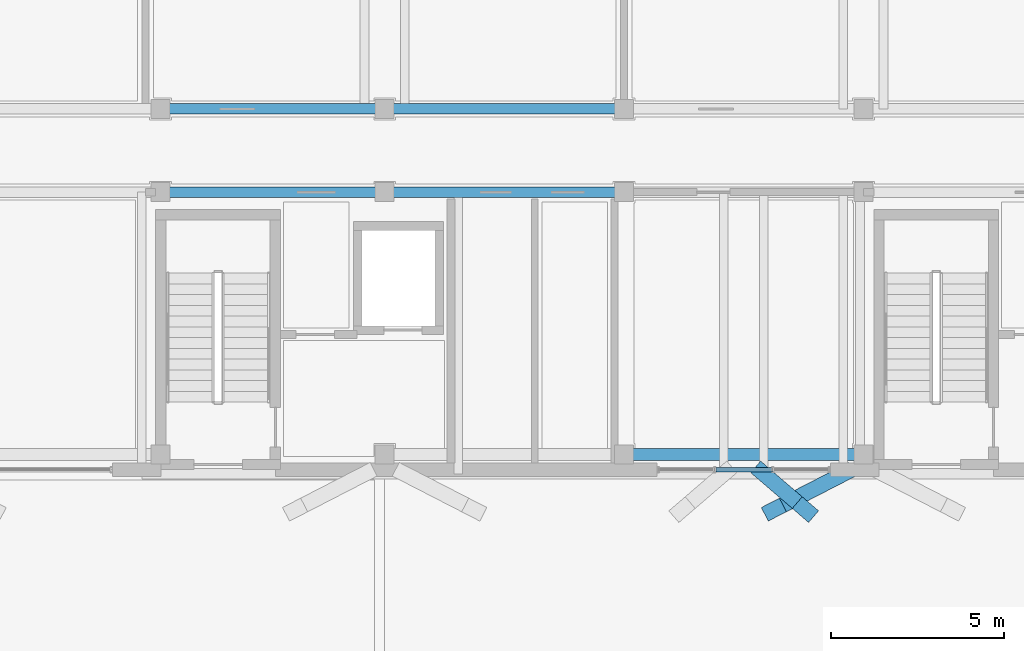
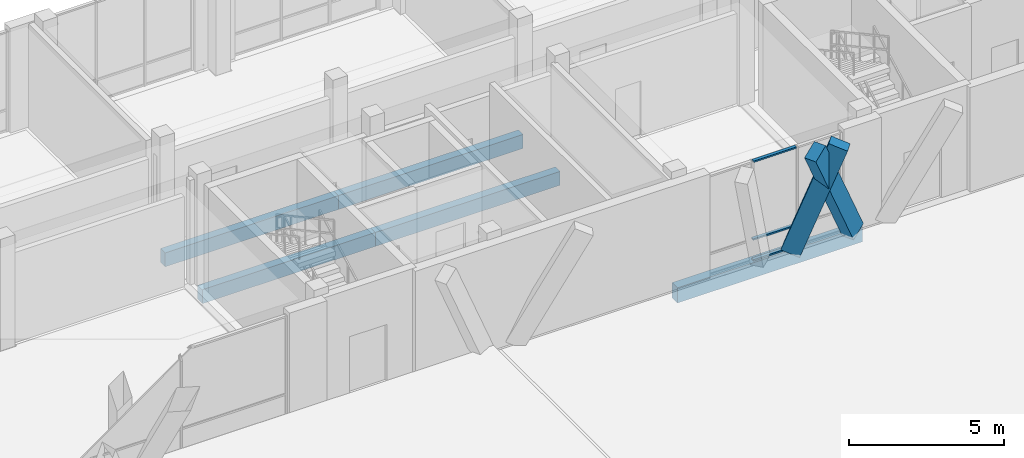
# One storey, part 165 of 233: 5 beams, 5 members, 1 element without a shape of its own.
"""IFC4 building model written with IfcOpenShell, lengths in metres."""

from ifc_helpers import new_model, si_unit, direction, frame, origin, origin_2d, place, context, subcontext, project, spatial, rectangle, hollow_rectangle, extrude, material, material_profile, profile_set, type_object, element, aggregate, save


model = new_model("IFC4")

# Units and contexts
model_context = context("Model", 3, precision=1e-05, world=origin(), true_north=direction((0.0, 1.0)))
body_context = subcontext(model_context, "Body", "Model", "MODEL_VIEW")
ifc_project = project(units=[si_unit("LENGTHUNIT", "METRE"), si_unit("AREAUNIT", "SQUARE_METRE"), si_unit("VOLUMEUNIT", "CUBIC_METRE"), si_unit("PLANEANGLEUNIT", "RADIAN"), si_unit("MASSUNIT", "GRAM", prefix="KILO")], contexts=[model_context])

# Site, building, storey
site_placement = place(None, origin())
site = spatial("IfcSite", under=ifc_project, at=site_placement, CompositionType="ELEMENT")
building_placement = place(site_placement, origin())
building = spatial("IfcBuilding", under=site, at=building_placement, Name="Zavelmont Quarter", CompositionType="ELEMENT")
storey_placement = place(building_placement, origin())
storey = spatial("IfcBuildingStorey", under=building, at=storey_placement, Name="L00", CompositionType="ELEMENT", Elevation=0.0)

# Beams
ifc_material_1 = material(Name="Concrete C35/45", Category="concrete")
ifc_material_profile_1 = material_profile(ifc_material_1, rectangle(XDim=0.35009765625, YDim=0.60009765625, at=origin_2d()), Name="RC350X600")
ifc_profile_set_1 = profile_set([ifc_material_profile_1], Name="Concrete C35/45")
beam_type_1 = type_object("IfcBeamType", Name="BM01", PredefinedType="SPANDREL", material=ifc_profile_set_1)
beam_1_placement = place(storey_placement, frame((140.39990234375, 98.0400390625, -0.6201171875), z_axis=(1.0, 0.0, 0.0), x_axis=(0.0, 1.0, 0.0)))
element("IfcBeam", 1, at=beam_1_placement, inside=storey, type_object=beam_type_1, Name="L00 beam BM01 21/P to 22/P", PredefinedType="SPANDREL", context=body_context, shape_type="SweptSolid", body=[
    extrude(rectangle(XDim=0.35009765625, YDim=0.60009765625, at=origin_2d()), origin(), (0.0, 0.0, 1.0), 6.900146484375),
])
ifc_material_profile_2 = material_profile(ifc_material_1, rectangle(XDim=0.300048828125, YDim=0.550048828125, at=origin_2d()), Name="RC300X550")
ifc_profile_set_2 = profile_set([ifc_material_profile_2], Name="Concrete C35/45")
beam_type_2 = type_object("IfcBeamType", Name="BM02", PredefinedType="SPANDREL", material=ifc_profile_set_2)
beam_2_placement = place(storey_placement, frame((127.0400390625, 105.60009765625, -0.594970703125), z_axis=(1.0, 0.0, 0.0), x_axis=(0.0, 1.0, 0.0)))
element("IfcBeam", 2, at=beam_2_placement, inside=storey, type_object=beam_type_2, Name="L00 beam BM02 19/Q to 20/Q", PredefinedType="SPANDREL", context=body_context, shape_type="SweptSolid", body=[
    extrude(rectangle(XDim=0.300048828125, YDim=0.550048828125, at=origin_2d()), origin(), (0.0, 0.0, 1.0), 6.4599609375),
])
beam_3_placement = place(storey_placement, frame((133.5, 105.60009765625, -0.594970703125), z_axis=(1.0, 0.0, 0.0), x_axis=(0.0, 1.0, 0.0)))
element("IfcBeam", 3, at=beam_3_placement, inside=storey, type_object=beam_type_2, Name="L00 beam BM02 20/Q to 21/Q", PredefinedType="SPANDREL", context=body_context, shape_type="SweptSolid", body=[
    extrude(rectangle(XDim=0.300048828125, YDim=0.550048828125, at=origin_2d()), origin(), (0.0, 0.0, 1.0), 6.89990234375),
])
beam_4_placement = place(storey_placement, frame((127.0400390625, 108.0, -0.594970703125), z_axis=(1.0, 0.0, 0.0), x_axis=(0.0, 1.0, 0.0)))
element("IfcBeam", 4, at=beam_4_placement, inside=storey, type_object=beam_type_2, Name="L00 beam BM02 19/R to 20/R", PredefinedType="SPANDREL", context=body_context, shape_type="SweptSolid", body=[
    extrude(rectangle(XDim=0.300048828125, YDim=0.550048828125, at=origin_2d()), origin(), (0.0, 0.0, 1.0), 6.4599609375),
])
beam_5_placement = place(storey_placement, frame((133.5, 108.0, -0.594970703125), z_axis=(1.0, 0.0, 0.0), x_axis=(0.0, 1.0, 0.0)))
element("IfcBeam", 5, at=beam_5_placement, inside=storey, type_object=beam_type_2, Name="L00 beam BM02 20/R to 21/R", PredefinedType="SPANDREL", context=body_context, shape_type="SweptSolid", body=[
    extrude(rectangle(XDim=0.300048828125, YDim=0.550048828125, at=origin_2d()), origin(), (0.0, 0.0, 1.0), 6.89990234375),
])

# Curtain wall, members
ifc_material_2 = material(Name="Thermally broken aluminium and double low-E safety glazing", Category="aluminium")
curtain_wall_type = type_object("IfcCurtainWallType", Name="CW-500X395", PredefinedType="NOTDEFINED", material=ifc_material_2)
curtain_wall_placement = place(storey_placement, origin())
curtain_wall = element("IfcCurtainWall", 6, at=curtain_wall_placement, inside=storey, type_object=curtain_wall_type, Name="L00 unitised curtain wall CW-500X395", PredefinedType="NOTDEFINED")
ifc_material_3 = material(Name="Powder-coated aluminium EN AW-6063-T6", Category="aluminium")
ifc_material_profile_3 = material_profile(ifc_material_3, hollow_rectangle(XDim=0.1201171875, YDim=0.06005859375, WallThickness=0.00390625, at=origin_2d()), Name="CWT60X120")
ifc_profile_set_3 = profile_set([ifc_material_profile_3], Name="Powder-coated aluminium EN AW-6063-T6")
member_type_1 = type_object("IfcMemberType", Name="CWT01", PredefinedType="NOTDEFINED", material=ifc_profile_set_3)
member_1_placement = place(storey_placement, frame((143.046630859375, 97.60009765625, 0.030029296875), z_axis=(1.0, 0.0, 0.0), x_axis=(0.0, 1.0, 0.0)))
member_1 = element("IfcMember", 7, at=member_1_placement, type_object=member_type_1, Name="CW-500X395 transom 2.1", ObjectType="TRANSOM", PredefinedType="USERDEFINED", context=body_context, shape_type="SweptSolid", body=[
    extrude(hollow_rectangle(XDim=0.1201171875, YDim=0.06005859375, WallThickness=0.00390625, at=origin_2d()), origin(), (0.0, 0.0, 1.0), 1.606689453125),
])
member_2_placement = place(storey_placement, frame((143.046630859375, 97.60009765625, 0.85009765625), z_axis=(1.0, 0.0, 0.0), x_axis=(0.0, 1.0, 0.0)))
member_2 = element("IfcMember", 8, at=member_2_placement, type_object=member_type_1, Name="CW-500X395 transom 2.2", ObjectType="TRANSOM", PredefinedType="USERDEFINED", context=body_context, shape_type="SweptSolid", body=[
    extrude(hollow_rectangle(XDim=0.1201171875, YDim=0.06005859375, WallThickness=0.00390625, at=origin_2d()), origin(), (0.0, 0.0, 1.0), 1.606689453125),
])
member_3_placement = place(storey_placement, frame((143.046630859375, 97.60009765625, 3.919921875), z_axis=(1.0, 0.0, 0.0), x_axis=(0.0, 1.0, 0.0)))
member_3 = element("IfcMember", 9, at=member_3_placement, type_object=member_type_1, Name="CW-500X395 transom 2.3", ObjectType="TRANSOM", PredefinedType="USERDEFINED", context=body_context, shape_type="SweptSolid", body=[
    extrude(hollow_rectangle(XDim=0.1201171875, YDim=0.06005859375, WallThickness=0.00390625, at=origin_2d()), origin(), (0.0, 0.0, 1.0), 1.606689453125),
])
aggregate(curtain_wall, [member_1, member_2, member_3])

# Members
ifc_material_4 = material(Name="White architectural precast concrete C40/50", Category="concrete")
ifc_material_profile_4 = material_profile(ifc_material_4, rectangle(XDim=0.43994140625, YDim=0.659912109375, at=origin_2d()), Name="PCR320X480")
ifc_profile_set_4 = profile_set([ifc_material_profile_4], Name="White architectural precast concrete C40/50")
member_type_2 = type_object("IfcMemberType", Name="VR01M", PredefinedType="CHORD", material=ifc_profile_set_4)
member_4_placement = place(storey_placement, frame((146.719970703125, 97.47998046875, 0.0), z_axis=(-0.405051909514, -0.208404147103, 0.890225062593), x_axis=(0.457507269594, -0.889205880699, 0.0)))
element("IfcMember", 10, at=member_4_placement, inside=storey, type_object=member_type_2, Name="L00 member VR01M 22/P to 22/P", PredefinedType="CHORD", context=body_context, shape_type="SweptSolid", body=[
    extrude(rectangle(XDim=0.43994140625, YDim=0.659912109375, at=origin_2d()), origin(), (0.0, 0.0, 1.0), 4.9423828125),
])
member_5_placement = place(storey_placement, frame((144.429931640625, 97.47998046875, 0.0), z_axis=(0.256306962847, -0.220325810157, 0.941149976452), x_axis=(0.651872274177, 0.758328779725, 0.0)))
element("IfcMember", 11, at=member_5_placement, inside=storey, type_object=member_type_2, Name="L00 member VR01M 22/P to 22/P", PredefinedType="CHORD", context=body_context, shape_type="SweptSolid", body=[
    extrude(rectangle(XDim=0.43994140625, YDim=0.659912109375, at=origin_2d()), origin(), (0.0, 0.0, 1.0), 4.675048828125),
])

save(model, "model.ifc")
